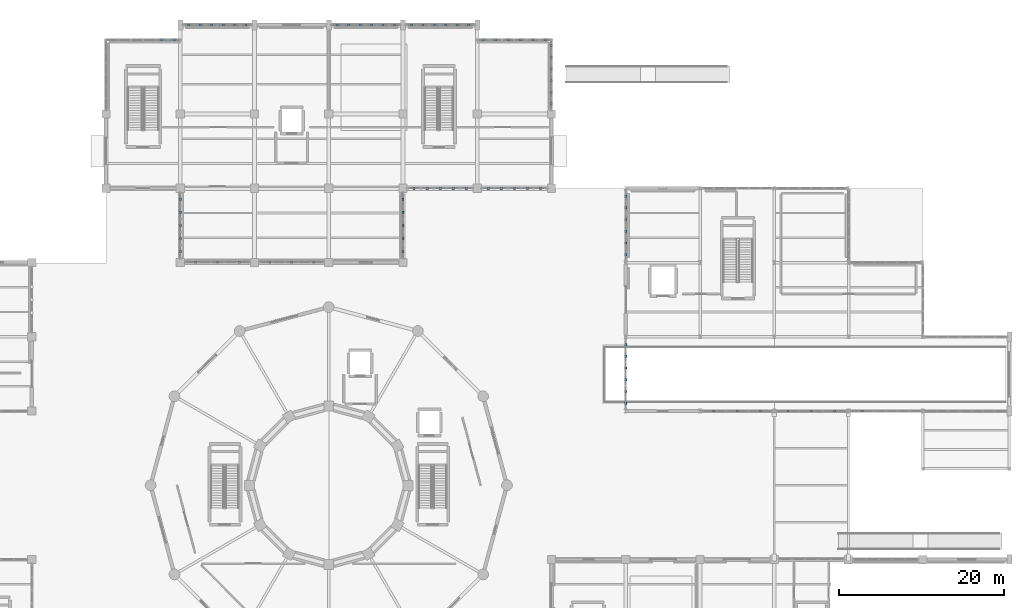
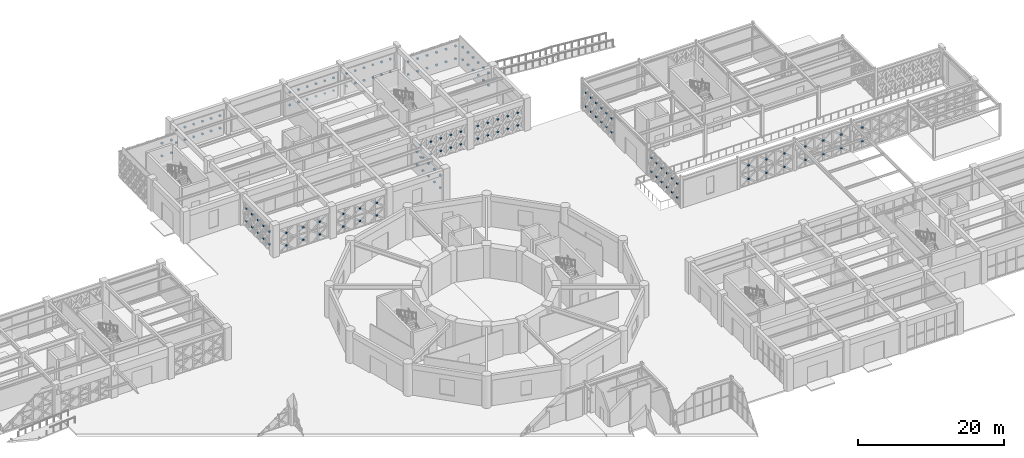
# One storey, part 125 of 140: 154 discrete accessories.
"""IFC4 building model written with IfcOpenShell, lengths in metres."""

from ifc_helpers import new_model, si_unit, direction, frame, origin, origin_2d, place, context, subcontext, project, spatial, rectangle, extrude, material, type_object, element, save


model = new_model("IFC4")

# Units and contexts
model_context = context("Model", 3, precision=1e-05, world=origin(), true_north=direction((0.0, 1.0)))
body_context = subcontext(model_context, "Body", "Model", "MODEL_VIEW")
ifc_project = project(units=[si_unit("LENGTHUNIT", "METRE"), si_unit("AREAUNIT", "SQUARE_METRE"), si_unit("VOLUMEUNIT", "CUBIC_METRE"), si_unit("PLANEANGLEUNIT", "RADIAN"), si_unit("MASSUNIT", "GRAM", prefix="KILO")], contexts=[model_context])

# Site, building, storey
site_placement = place(None, origin())
site = spatial("IfcSite", under=ifc_project, at=site_placement, CompositionType="ELEMENT")
building_placement = place(site_placement, origin())
building = spatial("IfcBuilding", under=site, at=building_placement, Name="Haizhuo Lancet Aquarium", CompositionType="ELEMENT")
storey_placement = place(building_placement, origin())
storey = spatial("IfcBuildingStorey", under=building, at=storey_placement, Name="L00", CompositionType="ELEMENT", Elevation=0.0)

# Discrete accessories
ifc_material = material(Name="Steel S355", Category="steel")
discrete_accessory_type = type_object("IfcDiscreteAccessoryType", Name="ACC-END-CAP", PredefinedType="BRACKET", material=ifc_material)
for number, where, z_axis, x_axis, name in (
    (1, (-20.25, 54.0, 0.94287109375), (0.0, 0.0, 1.0), (1.0, 0.0, 0.0), "L00 X-brace crossing gusset plate XN-CW-V5-L00-116-LB09B1"),
    (2, (-20.25, 54.0, 3.07080078125), (0.0, 0.0, 1.0), (1.0, 0.0, 0.0), "L00 X-brace crossing gusset plate XN-CW-V5-L00-116-LB10B1"),
    (3, (-18.75, 54.0, 0.94287109375), (0.0, 0.0, 1.0), (1.0, 0.0, 0.0), "L00 X-brace crossing gusset plate XN-CW-V5-L00-116-LB11B1"),
    (4, (-18.75, 54.0, 3.07080078125), (0.0, 0.0, 1.0), (1.0, 0.0, 0.0), "L00 X-brace crossing gusset plate XN-CW-V5-L00-116-LB12B1"),
    (5, (-16.9619140625, 55.800048828125, 0.93505859375), (0.0, 0.0, 1.0), (1.0, 0.0, 0.0), "L00 X-brace crossing gusset plate XN-CW-V5-L00-117-LB01B1"),
    (6, (-16.9619140625, 55.800048828125, 3.044921875), (0.0, 0.0, 1.0), (1.0, 0.0, 0.0), "L00 X-brace crossing gusset plate XN-CW-V5-L00-117-LB02B1"),
    (7, (-15.577880859375, 55.800048828125, 0.93505859375), (0.0, 0.0, 1.0), (1.0, 0.0, 0.0), "L00 X-brace crossing gusset plate XN-CW-V5-L00-117-LB03B1"),
    (8, (-15.577880859375, 55.800048828125, 3.044921875), (0.0, 0.0, 1.0), (1.0, 0.0, 0.0), "L00 X-brace crossing gusset plate XN-CW-V5-L00-117-LB04B1"),
    (9, (-14.19189453125, 55.800048828125, 0.93505859375), (0.0, 0.0, 1.0), (1.0, 0.0, 0.0), "L00 X-brace crossing gusset plate XN-CW-V5-L00-117-LB05B1"),
    (10, (-14.19189453125, 55.800048828125, 3.044921875), (0.0, 0.0, 1.0), (1.0, 0.0, 0.0), "L00 X-brace crossing gusset plate XN-CW-V5-L00-117-LB06B1"),
    (11, (-12.80810546875, 55.800048828125, 0.93505859375), (0.0, 0.0, 1.0), (1.0, 0.0, 0.0), "L00 X-brace crossing gusset plate XN-CW-V5-L00-117-LB07B1"),
    (12, (-12.80810546875, 55.800048828125, 3.044921875), (0.0, 0.0, 1.0), (1.0, 0.0, 0.0), "L00 X-brace crossing gusset plate XN-CW-V5-L00-117-LB08B1"),
    (13, (-11.422119140625, 55.800048828125, 0.93505859375), (0.0, 0.0, 1.0), (1.0, 0.0, 0.0), "L00 X-brace crossing gusset plate XN-CW-V5-L00-117-LB09B1"),
    (14, (-11.422119140625, 55.800048828125, 3.044921875), (0.0, 0.0, 1.0), (1.0, 0.0, 0.0), "L00 X-brace crossing gusset plate XN-CW-V5-L00-117-LB10B1"),
    (15, (-10.0380859375, 55.800048828125, 0.93505859375), (0.0, 0.0, 1.0), (1.0, 0.0, 0.0), "L00 X-brace crossing gusset plate XN-CW-V5-L00-117-LB11B1"),
    (16, (-10.0380859375, 55.800048828125, 3.044921875), (0.0, 0.0, 1.0), (1.0, 0.0, 0.0), "L00 X-brace crossing gusset plate XN-CW-V5-L00-117-LB12B1"),
    (17, (1.0380859375, 55.800048828125, 0.93505859375), (0.0, 0.0, 1.0), (1.0, 0.0, 0.0), "L00 X-brace crossing gusset plate XN-CW-V5-L00-118-LB01B1"),
    (18, (1.0380859375, 55.800048828125, 3.044921875), (0.0, 0.0, 1.0), (1.0, 0.0, 0.0), "L00 X-brace crossing gusset plate XN-CW-V5-L00-118-LB02B1"),
    (19, (2.423095703125, 55.800048828125, 0.93505859375), (0.0, 0.0, 1.0), (1.0, 0.0, 0.0), "L00 X-brace crossing gusset plate XN-CW-V5-L00-118-LB03B1"),
    (20, (2.423095703125, 55.800048828125, 3.044921875), (0.0, 0.0, 1.0), (1.0, 0.0, 0.0), "L00 X-brace crossing gusset plate XN-CW-V5-L00-118-LB04B1"),
    (21, (3.80810546875, 55.800048828125, 0.93505859375), (0.0, 0.0, 1.0), (1.0, 0.0, 0.0), "L00 X-brace crossing gusset plate XN-CW-V5-L00-118-LB05B1"),
    (22, (3.80810546875, 55.800048828125, 3.044921875), (0.0, 0.0, 1.0), (1.0, 0.0, 0.0), "L00 X-brace crossing gusset plate XN-CW-V5-L00-118-LB06B1"),
    (23, (5.19189453125, 55.800048828125, 0.93505859375), (0.0, 0.0, 1.0), (1.0, 0.0, 0.0), "L00 X-brace crossing gusset plate XN-CW-V5-L00-118-LB07B1"),
    (24, (5.19189453125, 55.800048828125, 3.044921875), (0.0, 0.0, 1.0), (1.0, 0.0, 0.0), "L00 X-brace crossing gusset plate XN-CW-V5-L00-118-LB08B1"),
    (25, (6.576904296875, 55.800048828125, 0.93505859375), (0.0, 0.0, 1.0), (1.0, 0.0, 0.0), "L00 X-brace crossing gusset plate XN-CW-V5-L00-118-LB09B1"),
    (26, (6.576904296875, 55.800048828125, 3.044921875), (0.0, 0.0, 1.0), (1.0, 0.0, 0.0), "L00 X-brace crossing gusset plate XN-CW-V5-L00-118-LB10B1"),
    (27, (7.9619140625, 55.800048828125, 0.93505859375), (0.0, 0.0, 1.0), (1.0, 0.0, 0.0), "L00 X-brace crossing gusset plate XN-CW-V5-L00-118-LB11B1"),
    (28, (7.9619140625, 55.800048828125, 3.044921875), (0.0, 0.0, 1.0), (1.0, 0.0, 0.0), "L00 X-brace crossing gusset plate XN-CW-V5-L00-118-LB12B1"),
    (29, (10.0380859375, 55.800048828125, 0.93505859375), (0.0, 0.0, 1.0), (1.0, 0.0, 0.0), "L00 X-brace crossing gusset plate XN-CW-V5-L00-119-LB01B1"),
    (30, (10.0380859375, 55.800048828125, 3.044921875), (0.0, 0.0, 1.0), (1.0, 0.0, 0.0), "L00 X-brace crossing gusset plate XN-CW-V5-L00-119-LB02B1"),
    (31, (11.422119140625, 55.800048828125, 0.93505859375), (0.0, 0.0, 1.0), (1.0, 0.0, 0.0), "L00 X-brace crossing gusset plate XN-CW-V5-L00-119-LB03B1"),
    (32, (11.422119140625, 55.800048828125, 3.044921875), (0.0, 0.0, 1.0), (1.0, 0.0, 0.0), "L00 X-brace crossing gusset plate XN-CW-V5-L00-119-LB04B1"),
    (33, (12.80810546875, 55.800048828125, 0.93505859375), (0.0, 0.0, 1.0), (1.0, 0.0, 0.0), "L00 X-brace crossing gusset plate XN-CW-V5-L00-119-LB05B1"),
    (34, (12.80810546875, 55.800048828125, 3.044921875), (0.0, 0.0, 1.0), (1.0, 0.0, 0.0), "L00 X-brace crossing gusset plate XN-CW-V5-L00-119-LB06B1"),
    (35, (14.19189453125, 55.800048828125, 0.93505859375), (0.0, 0.0, 1.0), (1.0, 0.0, 0.0), "L00 X-brace crossing gusset plate XN-CW-V5-L00-119-LB07B1"),
    (36, (14.19189453125, 55.800048828125, 3.044921875), (0.0, 0.0, 1.0), (1.0, 0.0, 0.0), "L00 X-brace crossing gusset plate XN-CW-V5-L00-119-LB08B1"),
    (37, (15.577880859375, 55.800048828125, 0.93505859375), (0.0, 0.0, 1.0), (1.0, 0.0, 0.0), "L00 X-brace crossing gusset plate XN-CW-V5-L00-119-LB09B1"),
    (38, (15.577880859375, 55.800048828125, 3.044921875), (0.0, 0.0, 1.0), (1.0, 0.0, 0.0), "L00 X-brace crossing gusset plate XN-CW-V5-L00-119-LB10B1"),
    (39, (16.9619140625, 55.800048828125, 0.93505859375), (0.0, 0.0, 1.0), (1.0, 0.0, 0.0), "L00 X-brace crossing gusset plate XN-CW-V5-L00-119-LB11B1"),
    (40, (16.9619140625, 55.800048828125, 3.044921875), (0.0, 0.0, 1.0), (1.0, 0.0, 0.0), "L00 X-brace crossing gusset plate XN-CW-V5-L00-119-LB12B1"),
    (41, (18.75, 54.0, 0.94287109375), (0.0, 0.0, 1.0), (1.0, 0.0, 0.0), "L00 X-brace crossing gusset plate XN-CW-V5-L00-120-LB01B1"),
    (42, (18.75, 54.0, 3.07080078125), (0.0, 0.0, 1.0), (1.0, 0.0, 0.0), "L00 X-brace crossing gusset plate XN-CW-V5-L00-120-LB02B1"),
    (43, (20.25, 54.0, 0.94287109375), (0.0, 0.0, 1.0), (1.0, 0.0, 0.0), "L00 X-brace crossing gusset plate XN-CW-V5-L00-120-LB03B1"),
    (44, (20.25, 54.0, 3.07080078125), (0.0, 0.0, 1.0), (1.0, 0.0, 0.0), "L00 X-brace crossing gusset plate XN-CW-V5-L00-120-LB04B1"),
    (45, (21.75, 54.0, 0.94287109375), (0.0, 0.0, 1.0), (1.0, 0.0, 0.0), "L00 X-brace crossing gusset plate XN-CW-V5-L00-120-LB05B1"),
    (46, (21.75, 54.0, 3.07080078125), (0.0, 0.0, 1.0), (1.0, 0.0, 0.0), "L00 X-brace crossing gusset plate XN-CW-V5-L00-120-LB06B1"),
    (47, (23.25, 54.0, 0.94287109375), (0.0, 0.0, 1.0), (1.0, 0.0, 0.0), "L00 X-brace crossing gusset plate XN-CW-V5-L00-120-LB07B1"),
    (48, (23.25, 54.0, 3.07080078125), (0.0, 0.0, 1.0), (1.0, 0.0, 0.0), "L00 X-brace crossing gusset plate XN-CW-V5-L00-120-LB08B1"),
    (49, (24.75, 54.0, 0.94287109375), (0.0, 0.0, 1.0), (1.0, 0.0, 0.0), "L00 X-brace crossing gusset plate XN-CW-V5-L00-120-LB09B1"),
    (50, (24.75, 54.0, 3.07080078125), (0.0, 0.0, 1.0), (1.0, 0.0, 0.0), "L00 X-brace crossing gusset plate XN-CW-V5-L00-120-LB10B1"),
    (51, (26.25, 54.0, 0.94287109375), (0.0, 0.0, 1.0), (1.0, 0.0, 0.0), "L00 X-brace crossing gusset plate XN-CW-V5-L00-120-LB11B1"),
    (52, (26.25, 54.0, 3.07080078125), (0.0, 0.0, 1.0), (1.0, 0.0, 0.0), "L00 X-brace crossing gusset plate XN-CW-V5-L00-120-LB12B1"),
    (53, (27.0, 53.2958984375, 0.93212890625), (0.0, 0.0, 1.0), (1.0, 0.0, 0.0), "L00 X-brace crossing gusset plate XN-CW-V5-L00-121-LB01B1"),
    (54, (27.0, 53.2958984375, 3.0341796875), (0.0, 0.0, 1.0), (1.0, 0.0, 0.0), "L00 X-brace crossing gusset plate XN-CW-V5-L00-121-LB02B1"),
    (55, (27.0, 51.885986328125, 0.93212890625), (0.0, 0.0, 1.0), (1.0, 0.0, 0.0), "L00 X-brace crossing gusset plate XN-CW-V5-L00-121-LB03B1"),
    (56, (27.0, 51.885986328125, 3.0341796875), (0.0, 0.0, 1.0), (1.0, 0.0, 0.0), "L00 X-brace crossing gusset plate XN-CW-V5-L00-121-LB04B1"),
    (57, (27.0, 50.47802734375, 0.93212890625), (0.0, 0.0, 1.0), (1.0, 0.0, 0.0), "L00 X-brace crossing gusset plate XN-CW-V5-L00-121-LB05B1"),
    (58, (27.0, 50.47802734375, 3.0341796875), (0.0, 0.0, 1.0), (1.0, 0.0, 0.0), "L00 X-brace crossing gusset plate XN-CW-V5-L00-121-LB06B1"),
    (59, (27.0, 49.068115234375, 0.93212890625), (0.0, 0.0, 1.0), (1.0, 0.0, 0.0), "L00 X-brace crossing gusset plate XN-CW-V5-L00-121-LB07B1"),
    (60, (27.0, 49.068115234375, 3.0341796875), (0.0, 0.0, 1.0), (1.0, 0.0, 0.0), "L00 X-brace crossing gusset plate XN-CW-V5-L00-121-LB08B1"),
    (61, (27.0, 47.658935546875, 0.93212890625), (0.0, 0.0, 1.0), (1.0, 0.0, 0.0), "L00 X-brace crossing gusset plate XN-CW-V5-L00-121-LB09B1"),
    (62, (27.0, 47.658935546875, 3.0341796875), (0.0, 0.0, 1.0), (1.0, 0.0, 0.0), "L00 X-brace crossing gusset plate XN-CW-V5-L00-121-LB10B1"),
    (63, (27.0, 46.2490234375, 0.93212890625), (0.0, 0.0, 1.0), (1.0, 0.0, 0.0), "L00 X-brace crossing gusset plate XN-CW-V5-L00-121-LB11B1"),
    (64, (27.0, 46.2490234375, 3.0341796875), (0.0, 0.0, 1.0), (1.0, 0.0, 0.0), "L00 X-brace crossing gusset plate XN-CW-V5-L00-121-LB12B1"),
    (65, (25.6640625, 36.0, 0.93505859375), (0.0, 0.0, 1.0), (1.0, 0.0, 0.0), "L00 X-brace crossing gusset plate XN-CW-V5-L00-122-LB01B1"),
    (66, (25.6640625, 36.0, 3.044921875), (0.0, 0.0, 1.0), (1.0, 0.0, 0.0), "L00 X-brace crossing gusset plate XN-CW-V5-L00-122-LB02B1"),
    (67, (24.08203125, 36.0, 0.93505859375), (0.0, 0.0, 1.0), (1.0, 0.0, 0.0), "L00 X-brace crossing gusset plate XN-CW-V5-L00-122-LB03B1"),
    (68, (24.08203125, 36.0, 3.044921875), (0.0, 0.0, 1.0), (1.0, 0.0, 0.0), "L00 X-brace crossing gusset plate XN-CW-V5-L00-122-LB04B1"),
    (69, (22.5, 36.0, 0.93505859375), (0.0, 0.0, 1.0), (1.0, 0.0, 0.0), "L00 X-brace crossing gusset plate XN-CW-V5-L00-122-LB05B1"),
    (70, (22.5, 36.0, 3.044921875), (0.0, 0.0, 1.0), (1.0, 0.0, 0.0), "L00 X-brace crossing gusset plate XN-CW-V5-L00-122-LB06B1"),
    (71, (20.91796875, 36.0, 0.93505859375), (0.0, 0.0, 1.0), (1.0, 0.0, 0.0), "L00 X-brace crossing gusset plate XN-CW-V5-L00-122-LB07B1"),
    (72, (20.91796875, 36.0, 3.044921875), (0.0, 0.0, 1.0), (1.0, 0.0, 0.0), "L00 X-brace crossing gusset plate XN-CW-V5-L00-122-LB08B1"),
    (73, (19.3359375, 36.0, 0.93505859375), (0.0, 0.0, 1.0), (1.0, 0.0, 0.0), "L00 X-brace crossing gusset plate XN-CW-V5-L00-122-LB09B1"),
    (74, (19.3359375, 36.0, 3.044921875), (0.0, 0.0, 1.0), (1.0, 0.0, 0.0), "L00 X-brace crossing gusset plate XN-CW-V5-L00-122-LB10B1"),
    (75, (16.6640625, 36.0, 0.93505859375), (0.0, 0.0, 1.0), (1.0, 0.0, 0.0), "L00 X-brace crossing gusset plate XN-CW-V5-L00-123-LB01B1"),
    (76, (16.6640625, 36.0, 3.044921875), (0.0, 0.0, 1.0), (1.0, 0.0, 0.0), "L00 X-brace crossing gusset plate XN-CW-V5-L00-123-LB02B1"),
    (77, (15.08203125, 36.0, 0.93505859375), (0.0, 0.0, 1.0), (1.0, 0.0, 0.0), "L00 X-brace crossing gusset plate XN-CW-V5-L00-123-LB03B1"),
    (78, (15.08203125, 36.0, 3.044921875), (0.0, 0.0, 1.0), (1.0, 0.0, 0.0), "L00 X-brace crossing gusset plate XN-CW-V5-L00-123-LB04B1"),
    (79, (13.5, 36.0, 0.93505859375), (0.0, 0.0, 1.0), (1.0, 0.0, 0.0), "L00 X-brace crossing gusset plate XN-CW-V5-L00-123-LB05B1"),
    (80, (13.5, 36.0, 3.044921875), (0.0, 0.0, 1.0), (1.0, 0.0, 0.0), "L00 X-brace crossing gusset plate XN-CW-V5-L00-123-LB06B1"),
    (81, (11.91796875, 36.0, 0.93505859375), (0.0, 0.0, 1.0), (1.0, 0.0, 0.0), "L00 X-brace crossing gusset plate XN-CW-V5-L00-123-LB07B1"),
    (82, (11.91796875, 36.0, 3.044921875), (0.0, 0.0, 1.0), (1.0, 0.0, 0.0), "L00 X-brace crossing gusset plate XN-CW-V5-L00-123-LB08B1"),
    (83, (10.3359375, 36.0, 0.93505859375), (0.0, 0.0, 1.0), (1.0, 0.0, 0.0), "L00 X-brace crossing gusset plate XN-CW-V5-L00-123-LB09B1"),
    (84, (10.3359375, 36.0, 3.044921875), (0.0, 0.0, 1.0), (1.0, 0.0, 0.0), "L00 X-brace crossing gusset plate XN-CW-V5-L00-123-LB10B1"),
    (85, (9.0, 34.6640625, 0.94677734375), (0.0, 0.0, 1.0), (1.0, 0.0, 0.0), "L00 X-brace crossing gusset plate XN-CW-V5-L00-124-LB01B1"),
    (86, (9.0, 34.6640625, 3.08203125), (0.0, 0.0, 1.0), (1.0, 0.0, 0.0), "L00 X-brace crossing gusset plate XN-CW-V5-L00-124-LB02B1"),
    (87, (9.0, 33.08203125, 0.94677734375), (0.0, 0.0, 1.0), (1.0, 0.0, 0.0), "L00 X-brace crossing gusset plate XN-CW-V5-L00-124-LB03B1"),
    (88, (9.0, 33.08203125, 3.08203125), (0.0, 0.0, 1.0), (1.0, 0.0, 0.0), "L00 X-brace crossing gusset plate XN-CW-V5-L00-124-LB04B1"),
    (89, (9.0, 31.5, 0.94677734375), (0.0, 0.0, 1.0), (1.0, 0.0, 0.0), "L00 X-brace crossing gusset plate XN-CW-V5-L00-124-LB05B1"),
    (90, (9.0, 31.5, 3.08203125), (0.0, 0.0, 1.0), (1.0, 0.0, 0.0), "L00 X-brace crossing gusset plate XN-CW-V5-L00-124-LB06B1"),
    (91, (9.0, 29.91796875, 0.94677734375), (0.0, 0.0, 1.0), (1.0, 0.0, 0.0), "L00 X-brace crossing gusset plate XN-CW-V5-L00-124-LB07B1"),
    (92, (9.0, 29.91796875, 3.08203125), (0.0, 0.0, 1.0), (1.0, 0.0, 0.0), "L00 X-brace crossing gusset plate XN-CW-V5-L00-124-LB08B1"),
    (93, (9.0, 28.3359375, 0.94677734375), (0.0, 0.0, 1.0), (1.0, 0.0, 0.0), "L00 X-brace crossing gusset plate XN-CW-V5-L00-124-LB09B1"),
    (94, (9.0, 28.3359375, 3.08203125), (0.0, 0.0, 1.0), (1.0, 0.0, 0.0), "L00 X-brace crossing gusset plate XN-CW-V5-L00-124-LB10B1"),
    (95, (-1.863037109375, 27.0, 0.93505859375), (0.0, 0.0, 1.0), (1.0, 0.0, 0.0), "L00 X-brace crossing gusset plate XN-CW-V5-L00-125-LB01B1"),
    (96, (-1.863037109375, 27.0, 3.044921875), (0.0, 0.0, 1.0), (1.0, 0.0, 0.0), "L00 X-brace crossing gusset plate XN-CW-V5-L00-125-LB02B1"),
    (97, (-4.5, 27.0, 0.93505859375), (0.0, 0.0, 1.0), (1.0, 0.0, 0.0), "L00 X-brace crossing gusset plate XN-CW-V5-L00-125-LB03B1"),
    (98, (-4.5, 27.0, 3.044921875), (0.0, 0.0, 1.0), (1.0, 0.0, 0.0), "L00 X-brace crossing gusset plate XN-CW-V5-L00-125-LB04B1"),
    (99, (-7.135986328125, 27.0, 0.93505859375), (0.0, 0.0, 1.0), (1.0, 0.0, 0.0), "L00 X-brace crossing gusset plate XN-CW-V5-L00-125-LB05B1"),
    (100, (-7.135986328125, 27.0, 3.044921875), (0.0, 0.0, 1.0), (1.0, 0.0, 0.0), "L00 X-brace crossing gusset plate XN-CW-V5-L00-125-LB06B1"),
    (101, (-10.864013671875, 27.0, 0.93505859375), (0.0, 0.0, 1.0), (1.0, 0.0, 0.0), "L00 X-brace crossing gusset plate XN-CW-V5-L00-126-LB01B1"),
    (102, (-10.864013671875, 27.0, 3.044921875), (0.0, 0.0, 1.0), (1.0, 0.0, 0.0), "L00 X-brace crossing gusset plate XN-CW-V5-L00-126-LB02B1"),
    (103, (-13.5, 27.0, 0.93505859375), (0.0, 0.0, 1.0), (1.0, 0.0, 0.0), "L00 X-brace crossing gusset plate XN-CW-V5-L00-126-LB03B1"),
    (104, (-13.5, 27.0, 3.044921875), (0.0, 0.0, 1.0), (1.0, 0.0, 0.0), "L00 X-brace crossing gusset plate XN-CW-V5-L00-126-LB04B1"),
    (105, (-16.135986328125, 27.0, 0.93505859375), (0.0, 0.0, 1.0), (1.0, 0.0, 0.0), "L00 X-brace crossing gusset plate XN-CW-V5-L00-126-LB05B1"),
    (106, (-16.135986328125, 27.0, 3.044921875), (0.0, 0.0, 1.0), (1.0, 0.0, 0.0), "L00 X-brace crossing gusset plate XN-CW-V5-L00-126-LB06B1"),
    (107, (-18.0, 28.3359375, 0.94677734375), (0.0, 0.0, 1.0), (1.0, 0.0, 0.0), "L00 X-brace crossing gusset plate XN-CW-V5-L00-127-LB01B1"),
    (108, (-18.0, 28.3359375, 3.08203125), (0.0, 0.0, 1.0), (1.0, 0.0, 0.0), "L00 X-brace crossing gusset plate XN-CW-V5-L00-127-LB02B1"),
    (109, (-18.0, 29.91796875, 0.94677734375), (0.0, 0.0, 1.0), (1.0, 0.0, 0.0), "L00 X-brace crossing gusset plate XN-CW-V5-L00-127-LB03B1"),
    (110, (-18.0, 29.91796875, 3.08203125), (0.0, 0.0, 1.0), (1.0, 0.0, 0.0), "L00 X-brace crossing gusset plate XN-CW-V5-L00-127-LB04B1"),
    (111, (-18.0, 31.5, 0.94677734375), (0.0, 0.0, 1.0), (1.0, 0.0, 0.0), "L00 X-brace crossing gusset plate XN-CW-V5-L00-127-LB05B1"),
    (112, (-18.0, 31.5, 3.08203125), (0.0, 0.0, 1.0), (1.0, 0.0, 0.0), "L00 X-brace crossing gusset plate XN-CW-V5-L00-127-LB06B1"),
    (113, (-18.0, 33.08203125, 0.94677734375), (0.0, 0.0, 1.0), (1.0, 0.0, 0.0), "L00 X-brace crossing gusset plate XN-CW-V5-L00-127-LB07B1"),
    (114, (-18.0, 33.08203125, 3.08203125), (0.0, 0.0, 1.0), (1.0, 0.0, 0.0), "L00 X-brace crossing gusset plate XN-CW-V5-L00-127-LB08B1"),
    (115, (-18.0, 34.6640625, 0.94677734375), (0.0, 0.0, 1.0), (1.0, 0.0, 0.0), "L00 X-brace crossing gusset plate XN-CW-V5-L00-127-LB09B1"),
    (116, (-18.0, 34.6640625, 3.08203125), (0.0, 0.0, 1.0), (1.0, 0.0, 0.0), "L00 X-brace crossing gusset plate XN-CW-V5-L00-127-LB10B1"),
    (117, (64.6630859375, 9.0, 1.01318359375), (0.0, 0.0, 1.0), (1.0, 0.0, 0.0), "L00 X-brace crossing gusset plate XN-CW-V7-L00-279-LB05B1"),
    (118, (64.6630859375, 9.0, 3.27880859375), (0.0, 0.0, 1.0), (1.0, 0.0, 0.0), "L00 X-brace crossing gusset plate XN-CW-V7-L00-279-LB06B1"),
    (119, (61.3369140625, 9.0, 1.01318359375), (0.0, 0.0, 1.0), (1.0, 0.0, 0.0), "L00 X-brace crossing gusset plate XN-CW-V7-L00-280-LB01B1"),
    (120, (61.3369140625, 9.0, 3.27880859375), (0.0, 0.0, 1.0), (1.0, 0.0, 0.0), "L00 X-brace crossing gusset plate XN-CW-V7-L00-280-LB02B1"),
    (121, (58.5, 9.0, 1.01318359375), (0.0, 0.0, 1.0), (1.0, 0.0, 0.0), "L00 X-brace crossing gusset plate XN-CW-V7-L00-280-LB03B1"),
    (122, (58.5, 9.0, 3.27880859375), (0.0, 0.0, 1.0), (1.0, 0.0, 0.0), "L00 X-brace crossing gusset plate XN-CW-V7-L00-280-LB04B1"),
    (123, (55.6630859375, 9.0, 1.01318359375), (0.0, 0.0, 1.0), (1.0, 0.0, 0.0), "L00 X-brace crossing gusset plate XN-CW-V7-L00-280-LB05B1"),
    (124, (55.6630859375, 9.0, 3.27880859375), (0.0, 0.0, 1.0), (1.0, 0.0, 0.0), "L00 X-brace crossing gusset plate XN-CW-V7-L00-280-LB06B1"),
    (125, (52.3369140625, 9.0, 1.01318359375), (0.0, 0.0, 1.0), (1.0, 0.0, 0.0), "L00 X-brace crossing gusset plate XN-CW-V7-L00-281-LB01B1"),
    (126, (52.3369140625, 9.0, 3.27880859375), (0.0, 0.0, 1.0), (1.0, 0.0, 0.0), "L00 X-brace crossing gusset plate XN-CW-V7-L00-281-LB02B1"),
    (127, (49.5, 9.0, 1.01318359375), (0.0, 0.0, 1.0), (1.0, 0.0, 0.0), "L00 X-brace crossing gusset plate XN-CW-V7-L00-281-LB03B1"),
    (128, (49.5, 9.0, 3.27880859375), (0.0, 0.0, 1.0), (1.0, 0.0, 0.0), "L00 X-brace crossing gusset plate XN-CW-V7-L00-281-LB04B1"),
    (129, (46.6630859375, 9.0, 1.01318359375), (0.0, 0.0, 1.0), (1.0, 0.0, 0.0), "L00 X-brace crossing gusset plate XN-CW-V7-L00-281-LB05B1"),
    (130, (46.6630859375, 9.0, 3.27880859375), (0.0, 0.0, 1.0), (1.0, 0.0, 0.0), "L00 X-brace crossing gusset plate XN-CW-V7-L00-281-LB06B1"),
    (131, (36.0, 9.9541015625, 1.0380859375), (0.0, 0.0, 1.0), (1.0, 0.0, 0.0), "L00 X-brace crossing gusset plate XN-CW-V7-L00-282-LB01B1"),
    (132, (36.0, 9.9541015625, 3.35400390625), (0.0, 0.0, 1.0), (1.0, 0.0, 0.0), "L00 X-brace crossing gusset plate XN-CW-V7-L00-282-LB02B1"),
    (133, (36.0, 11.373046875, 1.0380859375), (0.0, 0.0, 1.0), (1.0, 0.0, 0.0), "L00 X-brace crossing gusset plate XN-CW-V7-L00-282-LB03B1"),
    (134, (36.0, 11.373046875, 3.35400390625), (0.0, 0.0, 1.0), (1.0, 0.0, 0.0), "L00 X-brace crossing gusset plate XN-CW-V7-L00-282-LB04B1"),
    (135, (36.0, 12.791015625, 1.0380859375), (0.0, 0.0, 1.0), (1.0, 0.0, 0.0), "L00 X-brace crossing gusset plate XN-CW-V7-L00-282-LB05B1"),
    (136, (36.0, 12.791015625, 3.35400390625), (0.0, 0.0, 1.0), (1.0, 0.0, 0.0), "L00 X-brace crossing gusset plate XN-CW-V7-L00-282-LB06B1"),
    (137, (36.0, 14.208984375, 1.0380859375), (0.0, 0.0, 1.0), (1.0, 0.0, 0.0), "L00 X-brace crossing gusset plate XN-CW-V7-L00-282-LB07B1"),
    (138, (36.0, 14.208984375, 3.35400390625), (0.0, 0.0, 1.0), (1.0, 0.0, 0.0), "L00 X-brace crossing gusset plate XN-CW-V7-L00-282-LB08B1"),
    (139, (36.0, 15.626953125, 1.0380859375), (0.0, 0.0, 1.0), (1.0, 0.0, 0.0), "L00 X-brace crossing gusset plate XN-CW-V7-L00-282-LB09B1"),
    (140, (36.0, 15.626953125, 3.35400390625), (0.0, 0.0, 1.0), (1.0, 0.0, 0.0), "L00 X-brace crossing gusset plate XN-CW-V7-L00-282-LB10B1"),
    (141, (36.0, 17.0458984375, 1.0380859375), (0.0, 0.0, 1.0), (1.0, 0.0, 0.0), "L00 X-brace crossing gusset plate XN-CW-V7-L00-282-LB11B1"),
    (142, (36.0, 17.0458984375, 3.35400390625), (0.0, 0.0, 1.0), (1.0, 0.0, 0.0), "L00 X-brace crossing gusset plate XN-CW-V7-L00-282-LB12B1"),
    (143, (36.0, 27.9541015625, 1.0380859375), (0.0, 0.0, 1.0), (1.0, 0.0, 0.0), "L00 X-brace crossing gusset plate XN-CW-V7-L00-283-LB01B1"),
    (144, (36.0, 27.9541015625, 3.35400390625), (0.0, 0.0, 1.0), (1.0, 0.0, 0.0), "L00 X-brace crossing gusset plate XN-CW-V7-L00-283-LB02B1"),
    (145, (36.0, 29.373046875, 1.0380859375), (0.0, 0.0, 1.0), (1.0, 0.0, 0.0), "L00 X-brace crossing gusset plate XN-CW-V7-L00-283-LB03B1"),
    (146, (36.0, 29.373046875, 3.35400390625), (0.0, 0.0, 1.0), (1.0, 0.0, 0.0), "L00 X-brace crossing gusset plate XN-CW-V7-L00-283-LB04B1"),
    (147, (36.0, 30.791015625, 1.0380859375), (0.0, 0.0, 1.0), (1.0, 0.0, 0.0), "L00 X-brace crossing gusset plate XN-CW-V7-L00-283-LB05B1"),
    (148, (36.0, 30.791015625, 3.35400390625), (0.0, 0.0, 1.0), (1.0, 0.0, 0.0), "L00 X-brace crossing gusset plate XN-CW-V7-L00-283-LB06B1"),
    (149, (36.0, 32.208984375, 1.0380859375), (0.0, 0.0, 1.0), (1.0, 0.0, 0.0), "L00 X-brace crossing gusset plate XN-CW-V7-L00-283-LB07B1"),
    (150, (36.0, 32.208984375, 3.35400390625), (0.0, 0.0, 1.0), (1.0, 0.0, 0.0), "L00 X-brace crossing gusset plate XN-CW-V7-L00-283-LB08B1"),
    (151, (36.0, 33.626953125, 1.0380859375), (0.0, 0.0, 1.0), (1.0, 0.0, 0.0), "L00 X-brace crossing gusset plate XN-CW-V7-L00-283-LB09B1"),
    (152, (36.0, 33.626953125, 3.35400390625), (0.0, 0.0, 1.0), (1.0, 0.0, 0.0), "L00 X-brace crossing gusset plate XN-CW-V7-L00-283-LB10B1"),
    (153, (36.0, 35.0458984375, 1.0380859375), (0.0, 0.0, 1.0), (1.0, 0.0, 0.0), "L00 X-brace crossing gusset plate XN-CW-V7-L00-283-LB11B1"),
    (154, (36.0, 35.0458984375, 3.35400390625), (0.0, 0.0, 1.0), (1.0, 0.0, 0.0), "L00 X-brace crossing gusset plate XN-CW-V7-L00-283-LB12B1"),
):
    element("IfcDiscreteAccessory", number, at=place(storey_placement, frame(where, z_axis=z_axis, x_axis=x_axis)), inside=storey, type_object=discrete_accessory_type, material=ifc_material, Name=name, PredefinedType="BRACKET", context=body_context, shape_type="SweptSolid", body=[
        extrude(rectangle(XDim=0.280029296875, YDim=0.280029296875, at=origin_2d()), origin(), (0.0, 0.0, 1.0), 0.239990234375),
    ])

save(model, "model.ifc")
